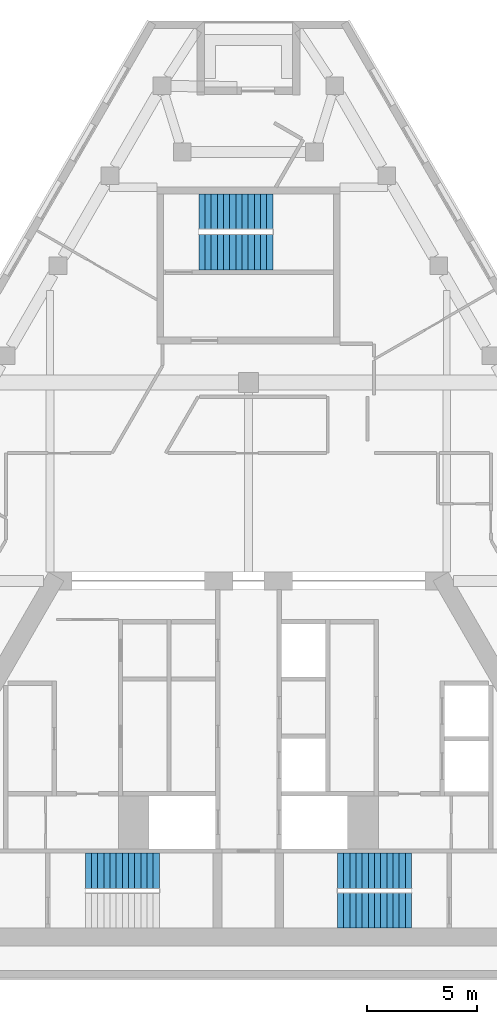
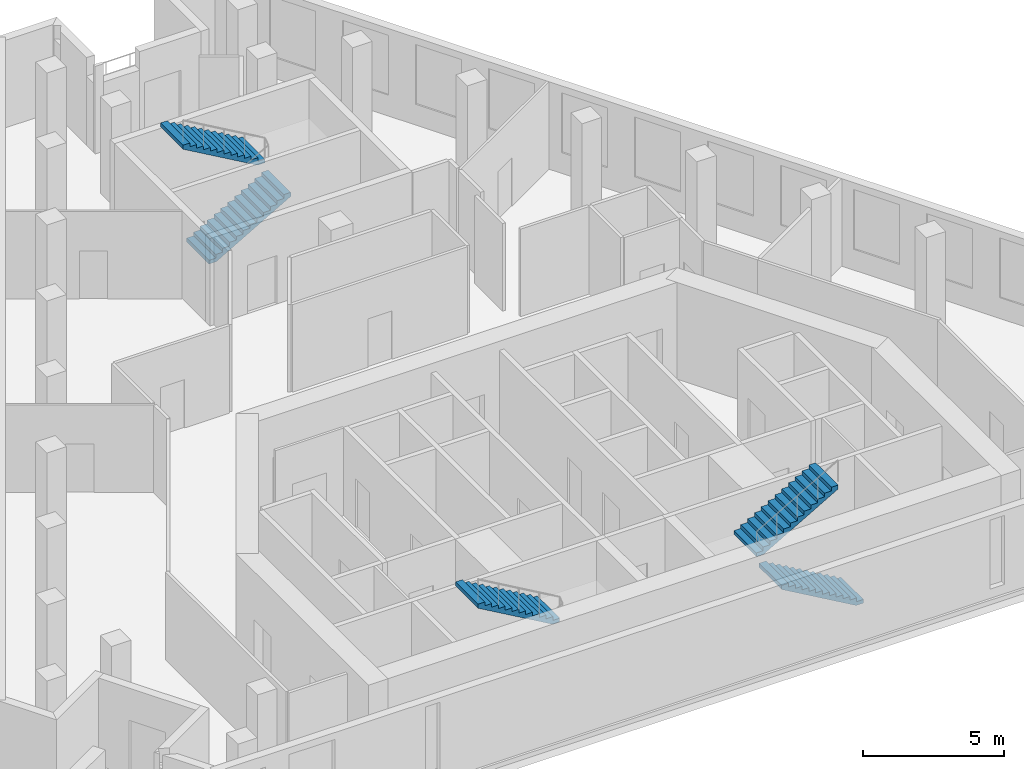
# One storey, part 7 of 8: 5 stair flights, 3 elements without a shape of their own.
"""IFC4 building model written with IfcOpenShell, lengths in metres."""

from ifc_helpers import new_model, si_unit, direction, frame, origin, place, context, subcontext, project, spatial, polyline, outline, extrude, material, type_object, element, aggregate, save


model = new_model("IFC4")

# Units and contexts
model_context = context("Model", 3, precision=1e-05, world=origin(), true_north=direction((0.0, 1.0)))
body_context = subcontext(model_context, "Body", "Model", "MODEL_VIEW")
ifc_project = project(units=[si_unit("LENGTHUNIT", "METRE"), si_unit("AREAUNIT", "SQUARE_METRE"), si_unit("VOLUMEUNIT", "CUBIC_METRE"), si_unit("PLANEANGLEUNIT", "RADIAN"), si_unit("MASSUNIT", "GRAM", prefix="KILO")], contexts=[model_context])

# Site, building, storey
site_placement = place(None, origin())
site = spatial("IfcSite", under=ifc_project, at=site_placement, CompositionType="ELEMENT")
building_placement = place(site_placement, origin())
building = spatial("IfcBuilding", under=site, at=building_placement, Name="Fogline Exchange Tower", CompositionType="ELEMENT")
storey_placement = place(building_placement, frame((0.0, 0.0, 296.10009765625)))
storey = spatial("IfcBuildingStorey", under=building, at=storey_placement, Name="L67", CompositionType="ELEMENT", Elevation=296.10009765625)

# Stair, stair flight
ifc_material = material(Name="Concrete C40", Category="concrete")
stair_type = type_object("IfcStairType", Name="STR26-1615", PredefinedType="HALF_TURN_STAIR", material=ifc_material)
stair_1_placement = place(storey_placement, origin())
stair_1 = element("IfcStair", 1, at=stair_1_placement, inside=storey, type_object=stair_type, Name="Stair ST1", PredefinedType="HALF_TURN_STAIR")
stair_flight_type = type_object("IfcStairFlightType", Name="SF13-1615", PredefinedType="STRAIGHT", material=ifc_material)
stair_flight_1_placement = place(storey_placement, frame((-4.0400390625, 4.85009765625, 2.099853515625), z_axis=(0.0, 0.0, 1.0), x_axis=(-1.0, 0.0, 0.0)))
stair_flight_1 = element("IfcStairFlight", 2, at=stair_flight_1_placement, type_object=stair_flight_type, Name="ST1 flight 2", NumberOfRisers=13, NumberOfTreads=12, PredefinedType="STRAIGHT", RiserHeight=0.161538462, TreadLength=0.28, context=body_context, shape_type="SweptSolid", body=[
    extrude(outline(polyline([(0.0, 0.0), (0.0, 0.16162109375), (0.280029296875, 0.16162109375), (0.280029296875, 0.322998046875), (0.56005859375, 0.322998046875), (0.56005859375, 0.484619140625), (0.840087890625, 0.484619140625), (0.840087890625, 0.646240234375), (1.1201171875, 0.646240234375), (1.1201171875, 0.8076171875), (1.39990234375, 0.8076171875), (1.39990234375, 0.96923828125), (1.679931640625, 0.96923828125), (1.679931640625, 1.130859375), (1.9599609375, 1.130859375), (1.9599609375, 1.292236328125), (2.239990234375, 1.292236328125), (2.239990234375, 1.453857421875), (2.52001953125, 1.453857421875), (2.52001953125, 1.615478515625), (2.800048828125, 1.615478515625), (2.800048828125, 1.77685546875), (3.080078125, 1.77685546875), (3.080078125, 1.9384765625), (3.360107421875, 1.9384765625), (3.360107421875, 2.10009765625), (3.360107421875, 1.765380859375), (0.300048828125, 0.0), (0.0, 0.0)])), frame((0.0, 0.800048828125, 0.0), z_axis=(0.0, -1.0, 0.0), x_axis=(1.0, 0.0, 0.0)), (0.0, 0.0, 1.0), 1.60009765625),
])
aggregate(stair_1, [stair_flight_1])

# Stair, stair flights
stair_2_placement = place(storey_placement, origin())
stair_2 = element("IfcStair", 3, at=stair_2_placement, inside=storey, type_object=stair_type, Name="Stair ST2", PredefinedType="HALF_TURN_STAIR")
stair_flight_2_placement = place(storey_placement, frame((7.39990234375, 3.050048828125, 0.0), z_axis=(0.0, 0.0, 1.0), x_axis=(-1.0, 0.0, 0.0)))
stair_flight_2 = element("IfcStairFlight", 4, at=stair_flight_2_placement, type_object=stair_flight_type, Name="ST2 flight 1", NumberOfRisers=13, NumberOfTreads=12, PredefinedType="STRAIGHT", RiserHeight=0.161538462, TreadLength=0.28, context=body_context, shape_type="SweptSolid", body=[
    extrude(outline(polyline([(0.0, 0.0), (0.0, 0.16162109375), (0.280029296875, 0.16162109375), (0.280029296875, 0.322998046875), (0.56005859375, 0.322998046875), (0.56005859375, 0.484619140625), (0.840087890625, 0.484619140625), (0.840087890625, 0.646240234375), (1.1201171875, 0.646240234375), (1.1201171875, 0.8076171875), (1.39990234375, 0.8076171875), (1.39990234375, 0.96923828125), (1.679931640625, 0.96923828125), (1.679931640625, 1.130859375), (1.9599609375, 1.130859375), (1.9599609375, 1.292236328125), (2.239990234375, 1.292236328125), (2.239990234375, 1.453857421875), (2.52001953125, 1.453857421875), (2.52001953125, 1.615478515625), (2.800048828125, 1.615478515625), (2.800048828125, 1.77685546875), (3.080078125, 1.77685546875), (3.080078125, 1.9384765625), (3.360107421875, 1.9384765625), (3.360107421875, 2.10009765625), (3.360107421875, 1.765380859375), (0.300048828125, 0.0), (0.0, 0.0)])), frame((0.0, 0.800048828125, 0.0), z_axis=(0.0, -1.0, 0.0), x_axis=(1.0, 0.0, 0.0)), (0.0, 0.0, 1.0), 1.60009765625),
])
stair_flight_3_placement = place(storey_placement, frame((4.0400390625, 4.85009765625, 2.099853515625), z_axis=(0.0, 0.0, 1.0), x_axis=(1.0, 0.0, 0.0)))
stair_flight_3 = element("IfcStairFlight", 5, at=stair_flight_3_placement, type_object=stair_flight_type, Name="ST2 flight 2", NumberOfRisers=13, NumberOfTreads=12, PredefinedType="STRAIGHT", RiserHeight=0.161538462, TreadLength=0.28, context=body_context, shape_type="SweptSolid", body=[
    extrude(outline(polyline([(0.0, 0.0), (0.0, 0.16162109375), (0.280029296875, 0.16162109375), (0.280029296875, 0.322998046875), (0.56005859375, 0.322998046875), (0.56005859375, 0.484619140625), (0.840087890625, 0.484619140625), (0.840087890625, 0.646240234375), (1.1201171875, 0.646240234375), (1.1201171875, 0.8076171875), (1.39990234375, 0.8076171875), (1.39990234375, 0.96923828125), (1.679931640625, 0.96923828125), (1.679931640625, 1.130859375), (1.9599609375, 1.130859375), (1.9599609375, 1.292236328125), (2.239990234375, 1.292236328125), (2.239990234375, 1.453857421875), (2.52001953125, 1.453857421875), (2.52001953125, 1.615478515625), (2.800048828125, 1.615478515625), (2.800048828125, 1.77685546875), (3.080078125, 1.77685546875), (3.080078125, 1.9384765625), (3.360107421875, 1.9384765625), (3.360107421875, 2.10009765625), (3.360107421875, 1.765380859375), (0.300048828125, 0.0), (0.0, 0.0)])), frame((0.0, 0.800048828125, 0.0), z_axis=(0.0, -1.0, 0.0), x_axis=(1.0, 0.0, 0.0)), (0.0, 0.0, 1.0), 1.60009765625),
])
aggregate(stair_2, [stair_flight_2, stair_flight_3])

stair_3_placement = place(storey_placement, origin())
stair_3 = element("IfcStair", 6, at=stair_3_placement, inside=storey, type_object=stair_type, Name="Stair ST3", PredefinedType="HALF_TURN_STAIR")
stair_flight_4_placement = place(storey_placement, frame((-2.25, 32.906982421875, 0.0), z_axis=(0.0, 0.0, 1.0), x_axis=(1.0, 0.0, 0.0)))
stair_flight_4 = element("IfcStairFlight", 7, at=stair_flight_4_placement, type_object=stair_flight_type, Name="ST3 flight 1", NumberOfRisers=13, NumberOfTreads=12, PredefinedType="STRAIGHT", RiserHeight=0.161538462, TreadLength=0.28, context=body_context, shape_type="SweptSolid", body=[
    extrude(outline(polyline([(0.0, 0.0), (0.0, 0.16162109375), (0.280029296875, 0.16162109375), (0.280029296875, 0.322998046875), (0.56005859375, 0.322998046875), (0.56005859375, 0.484619140625), (0.840087890625, 0.484619140625), (0.840087890625, 0.646240234375), (1.1201171875, 0.646240234375), (1.1201171875, 0.8076171875), (1.39990234375, 0.8076171875), (1.39990234375, 0.96923828125), (1.679931640625, 0.96923828125), (1.679931640625, 1.130859375), (1.9599609375, 1.130859375), (1.9599609375, 1.292236328125), (2.239990234375, 1.292236328125), (2.239990234375, 1.453857421875), (2.52001953125, 1.453857421875), (2.52001953125, 1.615478515625), (2.800048828125, 1.615478515625), (2.800048828125, 1.77685546875), (3.080078125, 1.77685546875), (3.080078125, 1.9384765625), (3.360107421875, 1.9384765625), (3.360107421875, 2.10009765625), (3.360107421875, 1.765380859375), (0.300048828125, 0.0), (0.0, 0.0)])), frame((0.0, 0.800048828125, 0.0), z_axis=(0.0, -1.0, 0.0), x_axis=(1.0, 0.0, 0.0)), (0.0, 0.0, 1.0), 1.60009765625),
])
stair_flight_5_placement = place(storey_placement, frame((1.110107421875, 34.757080078125, 2.099853515625), z_axis=(0.0, 0.0, 1.0), x_axis=(-1.0, 0.0, 0.0)))
stair_flight_5 = element("IfcStairFlight", 8, at=stair_flight_5_placement, type_object=stair_flight_type, Name="ST3 flight 2", NumberOfRisers=13, NumberOfTreads=12, PredefinedType="STRAIGHT", RiserHeight=0.161538462, TreadLength=0.28, context=body_context, shape_type="SweptSolid", body=[
    extrude(outline(polyline([(0.0, 0.0), (0.0, 0.16162109375), (0.280029296875, 0.16162109375), (0.280029296875, 0.322998046875), (0.56005859375, 0.322998046875), (0.56005859375, 0.484619140625), (0.840087890625, 0.484619140625), (0.840087890625, 0.646240234375), (1.1201171875, 0.646240234375), (1.1201171875, 0.8076171875), (1.39990234375, 0.8076171875), (1.39990234375, 0.96923828125), (1.679931640625, 0.96923828125), (1.679931640625, 1.130859375), (1.9599609375, 1.130859375), (1.9599609375, 1.292236328125), (2.239990234375, 1.292236328125), (2.239990234375, 1.453857421875), (2.52001953125, 1.453857421875), (2.52001953125, 1.615478515625), (2.800048828125, 1.615478515625), (2.800048828125, 1.77685546875), (3.080078125, 1.77685546875), (3.080078125, 1.9384765625), (3.360107421875, 1.9384765625), (3.360107421875, 2.10009765625), (3.360107421875, 1.765380859375), (0.300048828125, 0.0), (0.0, 0.0)])), frame((0.0, 0.800048828125, 0.0), z_axis=(0.0, -1.0, 0.0), x_axis=(1.0, 0.0, 0.0)), (0.0, 0.0, 1.0), 1.60009765625),
])
aggregate(stair_3, [stair_flight_4, stair_flight_5])

save(model, "model.ifc")
